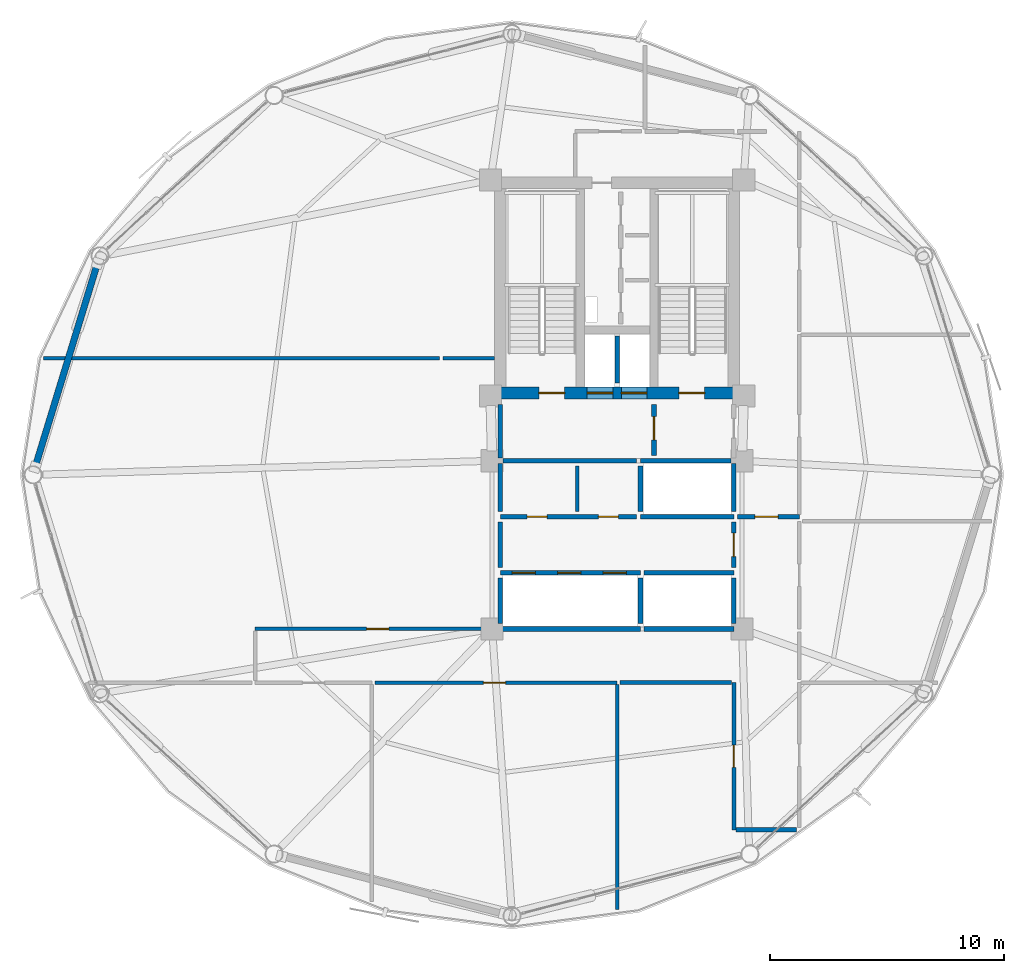
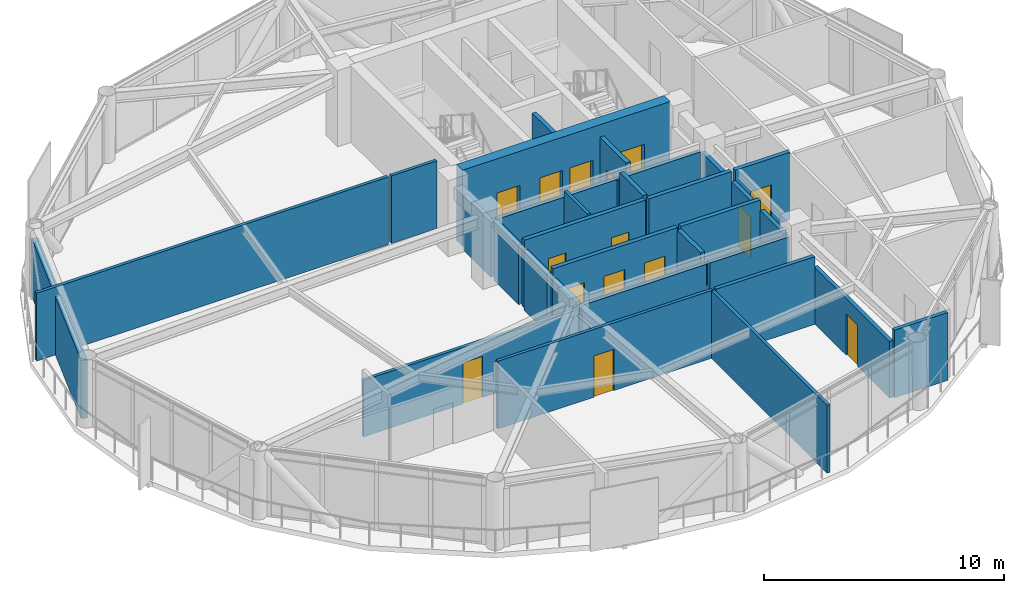
# One storey, part 21 of 26: 31 walls, 15 doors, 15 openings.
"""IFC4 building model written with IfcOpenShell, lengths in metres."""

from ifc_helpers import new_model, si_unit, direction, frame, frame_2d, origin, place, context, subcontext, project, spatial, rectangle, extrude, material, layer, layer_set, type_object, element, fill, save


model = new_model("IFC4")

# Units and contexts
model_context = context("Model", 3, precision=1e-05, world=origin(), true_north=direction((0.0, 1.0)))
body_context = subcontext(model_context, "Body", "Model", "MODEL_VIEW")
ifc_project = project(units=[si_unit("LENGTHUNIT", "METRE"), si_unit("AREAUNIT", "SQUARE_METRE"), si_unit("VOLUMEUNIT", "CUBIC_METRE"), si_unit("PLANEANGLEUNIT", "RADIAN"), si_unit("MASSUNIT", "GRAM", prefix="KILO")], contexts=[model_context])

# Site, building, storey
site_placement = place(None, origin())
site = spatial("IfcSite", under=ifc_project, at=site_placement, CompositionType="ELEMENT")
building_placement = place(site_placement, origin())
building = spatial("IfcBuilding", under=site, at=building_placement, Name="Varnakorn Sky Granary", CompositionType="ELEMENT")
storey_placement = place(building_placement, frame((0.0, 0.0, 165.60009765625)))
storey = spatial("IfcBuildingStorey", under=building, at=storey_placement, Name="L41", CompositionType="ELEMENT", Elevation=165.60009765625)

# Wall, openings, doors
ifc_material_1 = material(Name="Concrete C60/75", Category="concrete")
ifc_layer_1 = layer(ifc_material_1, 0.5, Name="Concrete C60/75")
ifc_layer_set_1 = layer_set([ifc_layer_1], Name="Concrete C60/75")
wall_type_1 = type_object("IfcWallType", Name="WT-CW-SHEAR-500", PredefinedType="SHEAR", material=ifc_layer_set_1)
wall_1_placement = place(storey_placement, frame((-2.0, 3.5, 0.0), z_axis=(0.0, 0.0, 1.0), x_axis=(1.0, 0.0, 0.0)))
wall_1 = element("IfcWall", 1, at=wall_1_placement, inside=storey, type_object=wall_type_1, Name="Core South Shear Wall L41", PredefinedType="SHEAR", context=body_context, shape_type="SweptSolid", body=[
    extrude(rectangle(XDim=10.0, YDim=0.5, at=frame_2d((5.0, 0.0))), origin(), (0.0, 0.0, 1.0), 3.891845703125),
])
opening_1_placement = place(wall_1_placement, frame((1.64990234375, 0.0, 0.0)))
opening_1 = element("IfcOpeningElement", 2, at=opening_1_placement, cuts=wall_1, Name="Opening FD-90", PredefinedType="OPENING", context=body_context, shape_type="SweptSolid", body=[
    extrude(rectangle(XDim=1.10009765625, YDim=2.14990234375, at=frame_2d((0.550048828125, 1.074951171875))), frame((0.0, 0.260009765625, 0.0), z_axis=(0.0, -1.0, 0.0), x_axis=(1.0, 0.0, 0.0)), (0.0, 0.0, 1.0), 0.52001953125),
])
opening_2_placement = place(wall_1_placement, frame((7.64990234375, 0.0, 0.0)))
opening_2 = element("IfcOpeningElement", 3, at=opening_2_placement, cuts=wall_1, Name="Opening FD-90", PredefinedType="OPENING", context=body_context, shape_type="SweptSolid", body=[
    extrude(rectangle(XDim=1.10009765625, YDim=2.14990234375, at=frame_2d((0.550048828125, 1.074951171875))), frame((0.0, 0.260009765625, 0.0), z_axis=(0.0, -1.0, 0.0), x_axis=(1.0, 0.0, 0.0)), (0.0, 0.0, 1.0), 0.52001953125),
])
opening_3_placement = place(wall_1_placement, frame((3.719970703125, 0.0, 0.0)))
opening_3 = element("IfcOpeningElement", 4, at=opening_3_placement, cuts=wall_1, Name="Opening LD-01", PredefinedType="OPENING", context=body_context, shape_type="SweptSolid", body=[
    extrude(rectangle(XDim=1.10009765625, YDim=2.199951171875, at=frame_2d((0.550048828125, 1.10009765625))), frame((0.0, 0.260009765625, 0.0), z_axis=(0.0, -1.0, 0.0), x_axis=(1.0, 0.0, 0.0)), (0.0, 0.0, 1.0), 0.52001953125),
])
opening_4_placement = place(wall_1_placement, frame((5.179931640625, 0.0, 0.0)))
opening_4 = element("IfcOpeningElement", 5, at=opening_4_placement, cuts=wall_1, Name="Opening LD-01", PredefinedType="OPENING", context=body_context, shape_type="SweptSolid", body=[
    extrude(rectangle(XDim=1.10009765625, YDim=2.199951171875, at=frame_2d((0.550048828125, 1.10009765625))), frame((0.0, 0.260009765625, 0.0), z_axis=(0.0, -1.0, 0.0), x_axis=(1.0, 0.0, 0.0)), (0.0, 0.0, 1.0), 0.52001953125),
])
ifc_material_2 = material(Name="Brushed Bronze Stainless Steel", Category="steel")
door_type_1 = type_object("IfcDoorType", Name="DR-LD-1100", OperationType="DOUBLE_DOOR_SLIDING", PredefinedType="DOOR", material=ifc_material_2)
door_1_placement = place(opening_3_placement, origin())
door_1 = element("IfcDoor", 6, at=door_1_placement, inside=storey, type_object=door_type_1, Name="Firefighting Lift FFL-1 Landing Door L41", OperationType="DOUBLE_DOOR_SLIDING", OverallHeight=2.199951171875, OverallWidth=1.10009765625, PredefinedType="DOOR", context=body_context, shape_type="SweptSolid", body=[
    extrude(rectangle(XDim=1.10009765625, YDim=2.199951171875, at=frame_2d((0.550048828125, 1.10009765625))), frame((0.0, 0.02490234375, 0.0), z_axis=(0.0, -1.0, 0.0), x_axis=(1.0, 0.0, 0.0)), (0.0, 0.0, 1.0), 0.050048828125),
])
fill(opening_3, door_1)
door_2_placement = place(opening_4_placement, origin())
door_2 = element("IfcDoor", 7, at=door_2_placement, inside=storey, type_object=door_type_1, Name="Firefighting Lift FFL-2 Landing Door L41", OperationType="DOUBLE_DOOR_SLIDING", OverallHeight=2.199951171875, OverallWidth=1.10009765625, PredefinedType="DOOR", context=body_context, shape_type="SweptSolid", body=[
    extrude(rectangle(XDim=1.10009765625, YDim=2.199951171875, at=frame_2d((0.550048828125, 1.10009765625))), frame((0.0, 0.02490234375, 0.0), z_axis=(0.0, -1.0, 0.0), x_axis=(1.0, 0.0, 0.0)), (0.0, 0.0, 1.0), 0.050048828125),
])
fill(opening_4, door_2)
ifc_material_3 = material(Name="Galvanised Painted Steel Leaf", Category="steel")
door_type_2 = type_object("IfcDoorType", Name="DR-STAIR-1100", OperationType="NOTDEFINED", PredefinedType="DOOR", material=ifc_material_3)
door_3_placement = place(opening_1_placement, origin())
door_3 = element("IfcDoor", 8, at=door_3_placement, inside=storey, type_object=door_type_2, Name="Stair ST-1 Protected Fire Door L41", OperationType="SINGLE_SWING_LEFT", OverallHeight=2.14990234375, OverallWidth=1.10009765625, PredefinedType="DOOR", context=body_context, shape_type="SweptSolid", body=[
    extrude(rectangle(XDim=1.10009765625, YDim=2.14990234375, at=frame_2d((0.550048828125, 1.074951171875))), frame((0.0, 0.02490234375, 0.0), z_axis=(0.0, -1.0, 0.0), x_axis=(1.0, 0.0, 0.0)), (0.0, 0.0, 1.0), 0.050048828125),
])
fill(opening_1, door_3)
door_4_placement = place(opening_2_placement, origin())
door_4 = element("IfcDoor", 9, at=door_4_placement, inside=storey, type_object=door_type_2, Name="Stair ST-2 Protected Fire Door L41", OperationType="SINGLE_SWING_RIGHT", OverallHeight=2.14990234375, OverallWidth=1.10009765625, PredefinedType="DOOR", context=body_context, shape_type="SweptSolid", body=[
    extrude(rectangle(XDim=1.10009765625, YDim=2.14990234375, at=frame_2d((0.550048828125, 1.074951171875))), frame((0.0, 0.02490234375, 0.0), z_axis=(0.0, -1.0, 0.0), x_axis=(1.0, 0.0, 0.0)), (0.0, 0.0, 1.0), 0.050048828125),
])
fill(opening_2, door_4)

# Wall
ifc_material_4 = material(Name="Precast concrete C40/50", Category="concrete")
ifc_layer_2 = layer(ifc_material_4, 0.280029296875, Name="Precast concrete C40/50")
ifc_layer_set_2 = layer_set([ifc_layer_2], Name="Precast concrete C40/50")
wall_type_2 = type_object("IfcWallType", Name="WT-EW-CRN-280", PredefinedType="SOLIDWALL", material=ifc_layer_set_2)
wall_2_placement = place(storey_placement, frame((-21.918701171875, 0.3212890625, 0.0), z_axis=(0.0, 0.0, 1.0), x_axis=(0.292111961986, 0.956384128719, 0.0)))
element("IfcWall", 10, at=wall_2_placement, inside=storey, type_object=wall_type_2, Name="Agritech Insulated Precast Facade Wall L41-P06", PredefinedType="SOLIDWALL", context=body_context, shape_type="SweptSolid", body=[
    extrude(rectangle(XDim=9.137451171875, YDim=0.280029296875, at=frame_2d((4.56884765625, 0.0))), origin(), (0.0, 0.0, 1.0), 2.969970703125),
])

# Wall, opening, door
ifc_material_5 = material(Name="Autoclaved Aerated Concrete Blockwork", Category="masonry")
ifc_layer_3 = layer(ifc_material_5, 0.199951171875, Name="Autoclaved Aerated Concrete Blockwork")
ifc_layer_set_3 = layer_set([ifc_layer_3], Name="Autoclaved Aerated Concrete Blockwork")
wall_type_3 = type_object("IfcWallType", Name="WT-FIRE-200", PredefinedType="MOVABLE", material=ifc_layer_set_3)
wall_3_placement = place(storey_placement, frame((4.580078125, 0.830078125, 0.0), z_axis=(0.0, 0.0, 1.0), x_axis=(0.0, 1.0, 0.0)))
wall_3 = element("IfcWall", 11, at=wall_3_placement, inside=storey, type_object=wall_type_3, Name="Interior Partition Wall L41-014", PredefinedType="MOVABLE", context=body_context, shape_type="SweptSolid", body=[
    extrude(rectangle(XDim=2.18994140625, YDim=0.199951171875, at=frame_2d((1.094970703125, 0.0))), origin(), (0.0, 0.0, 1.0), 3.449951171875),
])
opening_5_placement = place(wall_3_placement, frame((0.659912109375, 0.0, 0.0)))
opening_5 = element("IfcOpeningElement", 12, at=opening_5_placement, cuts=wall_3, Name="Opening FD-60", PredefinedType="OPENING", context=body_context, shape_type="SweptSolid", body=[
    extrude(rectangle(XDim=1.0, YDim=2.10009765625, at=frame_2d((0.5, 1.050048828125))), frame((0.0, 0.10986328125, 0.0), z_axis=(0.0, -1.0, 0.0), x_axis=(1.0, 0.0, 0.0)), (0.0, 0.0, 1.0), 0.219970703125),
])
ifc_material_6 = material(Name="Acoustic Timber Fire Leaf", Category="wood")
door_type_3 = type_object("IfcDoorType", Name="DR-FD60-1000", OperationType="NOTDEFINED", PredefinedType="DOOR", material=ifc_material_6)
door_5_placement = place(opening_5_placement, origin())
door_5 = element("IfcDoor", 13, at=door_5_placement, inside=storey, type_object=door_type_3, Name="Interior Door L41-014-1", OperationType="SINGLE_SWING_RIGHT", OverallHeight=2.10009765625, OverallWidth=1.0, PredefinedType="DOOR", context=body_context, shape_type="SweptSolid", body=[
    extrude(rectangle(XDim=1.0, YDim=2.10009765625, at=frame_2d((0.5, 1.050048828125))), frame((0.0, 0.02490234375, 0.0), z_axis=(0.0, -1.0, 0.0), x_axis=(1.0, 0.0, 0.0)), (0.0, 0.0, 1.0), 0.050048828125),
])
fill(opening_5, door_5)

wall_4_placement = place(storey_placement, frame((8.0, -3.969970703125, 0.0), z_axis=(0.0, 0.0, 1.0), x_axis=(0.0, 1.0, 0.0)))
wall_4 = element("IfcWall", 14, at=wall_4_placement, inside=storey, type_object=wall_type_3, Name="Interior Partition Wall L41-016", PredefinedType="MOVABLE", context=body_context, shape_type="SweptSolid", body=[
    extrude(rectangle(XDim=1.93994140625, YDim=0.199951171875, at=frame_2d((0.969970703125, 0.0))), origin(), (0.0, 0.0, 1.0), 3.031982421875),
])
opening_6_placement = place(wall_4_placement, frame((0.469970703125, 0.0, 0.0)))
opening_6 = element("IfcOpeningElement", 15, at=opening_6_placement, cuts=wall_4, Name="Opening FD-60", PredefinedType="OPENING", context=body_context, shape_type="SweptSolid", body=[
    extrude(rectangle(XDim=1.0, YDim=2.10009765625, at=frame_2d((0.5, 1.050048828125))), frame((0.0, 0.10986328125, 0.0), z_axis=(0.0, -1.0, 0.0), x_axis=(1.0, 0.0, 0.0)), (0.0, 0.0, 1.0), 0.219970703125),
])
door_6_placement = place(opening_6_placement, origin())
door_6 = element("IfcDoor", 16, at=door_6_placement, inside=storey, type_object=door_type_3, Name="Interior Door L41-016-1", OperationType="SINGLE_SWING_RIGHT", OverallHeight=2.10009765625, OverallWidth=1.0, PredefinedType="DOOR", context=body_context, shape_type="SweptSolid", body=[
    extrude(rectangle(XDim=1.0, YDim=2.10009765625, at=frame_2d((0.5, 1.050048828125))), frame((0.0, 0.02490234375, 0.0), z_axis=(0.0, -1.0, 0.0), x_axis=(1.0, 0.0, 0.0)), (0.0, 0.0, 1.0), 0.050048828125),
])
fill(opening_6, door_6)

# Wall, openings, doors
wall_5_placement = place(storey_placement, frame((-2.0, -1.800048828125, 0.0), z_axis=(0.0, 0.0, 1.0), x_axis=(1.0, 0.0, 0.0)))
wall_5 = element("IfcWall", 17, at=wall_5_placement, inside=storey, type_object=wall_type_3, Name="Interior Partition Wall L41-017", PredefinedType="MOVABLE", context=body_context, shape_type="SweptSolid", body=[
    extrude(rectangle(XDim=5.840087890625, YDim=0.199951171875, at=frame_2d((2.919921875, 0.0))), origin(), (0.0, 0.0, 1.0), 3.449951171875),
])
opening_7_placement = place(wall_5_placement, frame((1.14990234375, 0.0, 0.0)))
opening_7 = element("IfcOpeningElement", 18, at=opening_7_placement, cuts=wall_5, Name="Opening FD-60N", PredefinedType="OPENING", context=body_context, shape_type="SweptSolid", body=[
    extrude(rectangle(XDim=0.85009765625, YDim=2.10009765625, at=frame_2d((0.425048828125, 1.050048828125))), frame((0.0, 0.10986328125, 0.0), z_axis=(0.0, -1.0, 0.0), x_axis=(1.0, 0.0, 0.0)), (0.0, 0.0, 1.0), 0.219970703125),
])
opening_8_placement = place(wall_5_placement, frame((4.199951171875, 0.0, 0.0)))
opening_8 = element("IfcOpeningElement", 19, at=opening_8_placement, cuts=wall_5, Name="Opening FD-60N", PredefinedType="OPENING", context=body_context, shape_type="SweptSolid", body=[
    extrude(rectangle(XDim=0.85009765625, YDim=2.10009765625, at=frame_2d((0.425048828125, 1.050048828125))), frame((0.0, 0.10986328125, 0.0), z_axis=(0.0, -1.0, 0.0), x_axis=(1.0, 0.0, 0.0)), (0.0, 0.0, 1.0), 0.219970703125),
])
door_type_4 = type_object("IfcDoorType", Name="DR-FD60-850", OperationType="NOTDEFINED", PredefinedType="DOOR", material=ifc_material_6)
door_7_placement = place(opening_7_placement, origin())
door_7 = element("IfcDoor", 20, at=door_7_placement, inside=storey, type_object=door_type_4, Name="Interior Door L41-017-1", OperationType="SINGLE_SWING_LEFT", OverallHeight=2.10009765625, OverallWidth=0.85009765625, PredefinedType="DOOR", context=body_context, shape_type="SweptSolid", body=[
    extrude(rectangle(XDim=0.85009765625, YDim=2.10009765625, at=frame_2d((0.425048828125, 1.050048828125))), frame((0.0, 0.02490234375, 0.0), z_axis=(0.0, -1.0, 0.0), x_axis=(1.0, 0.0, 0.0)), (0.0, 0.0, 1.0), 0.050048828125),
])
fill(opening_7, door_7)
door_8_placement = place(opening_8_placement, origin())
door_8 = element("IfcDoor", 21, at=door_8_placement, inside=storey, type_object=door_type_4, Name="Interior Door L41-017-2", OperationType="SINGLE_SWING_RIGHT", OverallHeight=2.10009765625, OverallWidth=0.85009765625, PredefinedType="DOOR", context=body_context, shape_type="SweptSolid", body=[
    extrude(rectangle(XDim=0.85009765625, YDim=2.10009765625, at=frame_2d((0.425048828125, 1.050048828125))), frame((0.0, 0.02490234375, 0.0), z_axis=(0.0, -1.0, 0.0), x_axis=(1.0, 0.0, 0.0)), (0.0, 0.0, 1.0), 0.050048828125),
])
fill(opening_8, door_8)

# Wall, opening, door
wall_6_placement = place(storey_placement, frame((8.159912109375, -1.800048828125, 0.0), z_axis=(0.0, 0.0, 1.0), x_axis=(1.0, 0.0, 0.0)))
wall_6 = element("IfcWall", 22, at=wall_6_placement, inside=storey, type_object=wall_type_3, Name="Interior Partition Wall L41-018", PredefinedType="MOVABLE", context=body_context, shape_type="SweptSolid", body=[
    extrude(rectangle(XDim=2.64013671875, YDim=0.199951171875, at=frame_2d((1.320068359375, 0.0))), origin(), (0.0, 0.0, 1.0), 3.449951171875),
])
opening_9_placement = place(wall_6_placement, frame((0.739990234375, 0.0, 0.0)))
opening_9 = element("IfcOpeningElement", 23, at=opening_9_placement, cuts=wall_6, Name="Opening FD-60", PredefinedType="OPENING", context=body_context, shape_type="SweptSolid", body=[
    extrude(rectangle(XDim=1.0, YDim=2.10009765625, at=frame_2d((0.5, 1.050048828125))), frame((0.0, 0.10986328125, 0.0), z_axis=(0.0, -1.0, 0.0), x_axis=(1.0, 0.0, 0.0)), (0.0, 0.0, 1.0), 0.219970703125),
])
door_9_placement = place(opening_9_placement, origin())
door_9 = element("IfcDoor", 24, at=door_9_placement, inside=storey, type_object=door_type_3, Name="Interior Door L41-018-1", OperationType="SINGLE_SWING_LEFT", OverallHeight=2.10009765625, OverallWidth=1.0, PredefinedType="DOOR", context=body_context, shape_type="SweptSolid", body=[
    extrude(rectangle(XDim=1.0, YDim=2.10009765625, at=frame_2d((0.5, 1.050048828125))), frame((0.0, 0.02490234375, 0.0), z_axis=(0.0, -1.0, 0.0), x_axis=(1.0, 0.0, 0.0)), (0.0, 0.0, 1.0), 0.050048828125),
])
fill(opening_9, door_9)

# Walls
wall_7_placement = place(storey_placement, frame((-1.8798828125, 0.60009765625, 0.0), z_axis=(0.0, 0.0, 1.0), x_axis=(1.0, 0.0, 0.0)))
element("IfcWall", 25, at=wall_7_placement, inside=storey, type_object=wall_type_3, Name="Interior Partition Wall L41-031", PredefinedType="MOVABLE", context=body_context, shape_type="SweptSolid", body=[
    extrude(rectangle(XDim=5.719970703125, YDim=0.199951171875, at=frame_2d((2.85986328125, 0.0))), origin(), (0.0, 0.0, 1.0), 3.031982421875),
])
wall_8_placement = place(storey_placement, frame((-2.0, 0.719970703125, 0.0), z_axis=(0.0, 0.0, 1.0), x_axis=(0.0, 1.0, 0.0)))
element("IfcWall", 26, at=wall_8_placement, inside=storey, type_object=wall_type_3, Name="Interior Partition Wall L41-032", PredefinedType="MOVABLE", context=body_context, shape_type="SweptSolid", body=[
    extrude(rectangle(XDim=2.300048828125, YDim=0.199951171875, at=frame_2d((1.14990234375, 0.0))), origin(), (0.0, 0.0, 1.0), 2.781982421875),
])
wall_9_placement = place(storey_placement, frame((-2.0, -3.969970703125, 0.0), z_axis=(0.0, 0.0, 1.0), x_axis=(0.0, 1.0, 0.0)))
element("IfcWall", 27, at=wall_9_placement, inside=storey, type_object=wall_type_3, Name="Interior Partition Wall L41-033", PredefinedType="MOVABLE", context=body_context, shape_type="SweptSolid", body=[
    extrude(rectangle(XDim=1.93994140625, YDim=0.199951171875, at=frame_2d((0.969970703125, 0.0))), origin(), (0.0, 0.0, 1.0), 3.031982421875),
])
wall_10_placement = place(storey_placement, frame((-2.0, -1.570068359375, 0.0), z_axis=(0.0, 0.0, 1.0), x_axis=(0.0, 1.0, 0.0)))
element("IfcWall", 28, at=wall_10_placement, inside=storey, type_object=wall_type_3, Name="Interior Partition Wall L41-035", PredefinedType="MOVABLE", context=body_context, shape_type="SweptSolid", body=[
    extrude(rectangle(XDim=2.050048828125, YDim=0.199951171875, at=frame_2d((1.02490234375, 0.0))), origin(), (0.0, 0.0, 1.0), 3.031982421875),
])

# Wall, opening, door
ifc_material_7 = material(Name="Gypsum Plasterboard on Steel Stud", Category="steel")
ifc_layer_4 = layer(ifc_material_7, 0.14990234375, Name="Gypsum Plasterboard on Steel Stud")
ifc_layer_set_4 = layer_set([ifc_layer_4], Name="Gypsum Plasterboard on Steel Stud")
wall_type_4 = type_object("IfcWallType", Name="WT-PART-150", PredefinedType="PARTITIONING", material=ifc_layer_set_4)
wall_11_placement = place(storey_placement, frame((-7.364990234375, -8.89990234375, 0.0), z_axis=(0.0, 0.0, 1.0), x_axis=(1.0, 0.0, 0.0)))
wall_11 = element("IfcWall", 29, at=wall_11_placement, inside=storey, type_object=wall_type_4, Name="Interior Partition Wall L41-021", PredefinedType="PARTITIONING", context=body_context, shape_type="SweptSolid", body=[
    extrude(rectangle(XDim=10.364990234375, YDim=0.14990234375, at=frame_2d((5.1826171875, 0.0))), origin(), (0.0, 0.0, 1.0), 3.449951171875),
])
opening_10_placement = place(wall_11_placement, frame((4.639892578125, 0.0, 0.0)))
opening_10 = element("IfcOpeningElement", 30, at=opening_10_placement, cuts=wall_11, Name="Opening ID-95", PredefinedType="OPENING", context=body_context, shape_type="SweptSolid", body=[
    extrude(rectangle(XDim=0.949951171875, YDim=2.10009765625, at=frame_2d((0.47509765625, 1.050048828125))), frame((0.0, 0.0849609375, 0.0), z_axis=(0.0, -1.0, 0.0), x_axis=(1.0, 0.0, 0.0)), (0.0, 0.0, 1.0), 0.169921875),
])
ifc_material_8 = material(Name="Solid-Core Teak Veneer Leaf", Category="timber")
door_type_5 = type_object("IfcDoorType", Name="DR-INT-950", OperationType="NOTDEFINED", PredefinedType="DOOR", material=ifc_material_8)
door_10_placement = place(opening_10_placement, origin())
door_10 = element("IfcDoor", 31, at=door_10_placement, inside=storey, type_object=door_type_5, Name="Interior Door L41-021-1", OperationType="SINGLE_SWING_RIGHT", OverallHeight=2.10009765625, OverallWidth=0.949951171875, PredefinedType="DOOR", context=body_context, shape_type="SweptSolid", body=[
    extrude(rectangle(XDim=0.949951171875, YDim=2.10009765625, at=frame_2d((0.47509765625, 1.050048828125))), frame((0.0, 0.02490234375, 0.0), z_axis=(0.0, -1.0, 0.0), x_axis=(1.0, 0.0, 0.0)), (0.0, 0.0, 1.0), 0.050048828125),
])
fill(opening_10, door_10)

wall_12_placement = place(storey_placement, frame((-2.159912109375, -6.60009765625, 0.0), z_axis=(0.0, 0.0, 1.0), x_axis=(-1.0, 0.0, 0.0)))
wall_12 = element("IfcWall", 32, at=wall_12_placement, inside=storey, type_object=wall_type_4, Name="Interior Partition Wall L41-024", PredefinedType="PARTITIONING", context=body_context, shape_type="SweptSolid", body=[
    extrude(rectangle(XDim=10.340087890625, YDim=0.14990234375, at=frame_2d((5.169921875, 0.0))), origin(), (0.0, 0.0, 1.0), 2.8818359375),
])
opening_11_placement = place(wall_12_placement, frame((4.614990234375, 0.0, 0.0)))
opening_11 = element("IfcOpeningElement", 33, at=opening_11_placement, cuts=wall_12, Name="Opening ID-95", PredefinedType="OPENING", context=body_context, shape_type="SweptSolid", body=[
    extrude(rectangle(XDim=0.949951171875, YDim=2.10009765625, at=frame_2d((0.47509765625, 1.050048828125))), frame((0.0, 0.0849609375, 0.0), z_axis=(0.0, -1.0, 0.0), x_axis=(1.0, 0.0, 0.0)), (0.0, 0.0, 1.0), 0.169921875),
])
door_11_placement = place(opening_11_placement, origin())
door_11 = element("IfcDoor", 34, at=door_11_placement, inside=storey, type_object=door_type_5, Name="Interior Door L41-024-1", OperationType="SINGLE_SWING_LEFT", OverallHeight=2.10009765625, OverallWidth=0.949951171875, PredefinedType="DOOR", context=body_context, shape_type="SweptSolid", body=[
    extrude(rectangle(XDim=0.949951171875, YDim=2.10009765625, at=frame_2d((0.47509765625, 1.050048828125))), frame((0.0, 0.02490234375, 0.0), z_axis=(0.0, -1.0, 0.0), x_axis=(1.0, 0.0, 0.0)), (0.0, 0.0, 1.0), 0.050048828125),
])
fill(opening_11, door_11)

# Walls
wall_13_placement = place(storey_placement, frame((1.300048828125, -1.570068359375, 0.0), z_axis=(0.0, 0.0, 1.0), x_axis=(0.0, 1.0, 0.0)))
element("IfcWall", 35, at=wall_13_placement, inside=storey, type_object=wall_type_4, Name="Interior Partition Wall L41-034", PredefinedType="PARTITIONING", context=body_context, shape_type="SweptSolid", body=[
    extrude(rectangle(XDim=1.940185546875, YDim=0.14990234375, at=frame_2d((0.97021484375, 0.0))), origin(), (0.0, 0.0, 1.0), 3.449951171875),
])
wall_14_placement = place(storey_placement, frame((3.0, -8.985107421875, 0.0), z_axis=(0.0, 0.0, 1.0), x_axis=(0.0, -1.0, 0.0)))
element("IfcWall", 36, at=wall_14_placement, inside=storey, type_object=wall_type_4, Name="Interior Partition Wall L41-040", PredefinedType="PARTITIONING", context=body_context, shape_type="SweptSolid", body=[
    extrude(rectangle(XDim=9.638916015625, YDim=0.14990234375, at=frame_2d((4.8193359375, 0.0))), origin(), (0.0, 0.0, 1.0), 3.449951171875),
])
wall_15_placement = place(storey_placement, frame((-21.554931640625, 5.0, 0.0), z_axis=(0.0, 0.0, 1.0), x_axis=(1.0, 0.0, 0.0)))
element("IfcWall", 37, at=wall_15_placement, inside=storey, type_object=wall_type_4, Name="Interior Partition Wall L41-045", PredefinedType="PARTITIONING", context=body_context, shape_type="SweptSolid", body=[
    extrude(rectangle(XDim=16.954833984375, YDim=0.14990234375, at=frame_2d((8.4775390625, 0.0))), origin(), (0.0, 0.0, 1.0), 3.449951171875),
])
wall_16_placement = place(storey_placement, frame((-4.465087890625, 5.0, 0.0), z_axis=(0.0, 0.0, 1.0), x_axis=(1.0, 0.0, 0.0)))
element("IfcWall", 38, at=wall_16_placement, inside=storey, type_object=wall_type_4, Name="Interior Partition Wall L41-046", PredefinedType="PARTITIONING", context=body_context, shape_type="SweptSolid", body=[
    extrude(rectangle(XDim=2.205078125, YDim=0.14990234375, at=frame_2d((1.1025390625, 0.0))), origin(), (0.0, 0.0, 1.0), 3.449951171875),
])

# Wall, opening, door
ifc_material_9 = material(Name="Moisture-Resistant Gypsum on Stud", Category="gypsum")
ifc_layer_5 = layer(ifc_material_9, 0.179931640625, Name="Moisture-Resistant Gypsum on Stud")
ifc_layer_set_5 = layer_set([ifc_layer_5], Name="Moisture-Resistant Gypsum on Stud")
wall_type_5 = type_object("IfcWallType", Name="WT-PLUMB-180", PredefinedType="PLUMBINGWALL", material=ifc_layer_set_5)
wall_17_placement = place(storey_placement, frame((8.0, -8.89990234375, 0.0), z_axis=(0.0, 0.0, 1.0), x_axis=(0.0, -1.0, 0.0)))
wall_17 = element("IfcWall", 39, at=wall_17_placement, inside=storey, type_object=wall_type_5, Name="Interior Partition Wall L41-022", PredefinedType="PLUMBINGWALL", context=body_context, shape_type="SweptSolid", body=[
    extrude(rectangle(XDim=6.300048828125, YDim=0.179931640625, at=frame_2d((3.14990234375, 0.0))), origin(), (0.0, 0.0, 1.0), 2.8818359375),
])
opening_12_placement = place(wall_17_placement, frame((2.675048828125, 0.0, 0.0)))
opening_12 = element("IfcOpeningElement", 40, at=opening_12_placement, cuts=wall_17, Name="Opening ID-95", PredefinedType="OPENING", context=body_context, shape_type="SweptSolid", body=[
    extrude(rectangle(XDim=0.949951171875, YDim=2.10009765625, at=frame_2d((0.47509765625, 1.050048828125))), frame((0.0, 0.10009765625, 0.0), z_axis=(0.0, -1.0, 0.0), x_axis=(1.0, 0.0, 0.0)), (0.0, 0.0, 1.0), 0.199951171875),
])
door_12_placement = place(opening_12_placement, origin())
door_12 = element("IfcDoor", 41, at=door_12_placement, inside=storey, type_object=door_type_5, Name="Interior Door L41-022-1", OperationType="SINGLE_SWING_LEFT", OverallHeight=2.10009765625, OverallWidth=0.949951171875, PredefinedType="DOOR", context=body_context, shape_type="SweptSolid", body=[
    extrude(rectangle(XDim=0.949951171875, YDim=2.10009765625, at=frame_2d((0.47509765625, 1.050048828125))), frame((0.0, 0.02490234375, 0.0), z_axis=(0.0, -1.0, 0.0), x_axis=(1.0, 0.0, 0.0)), (0.0, 0.0, 1.0), 0.050048828125),
])
fill(opening_12, door_12)

# Walls
wall_18_placement = place(storey_placement, frame((3.135009765625, -8.89990234375, 0.0), z_axis=(0.0, 0.0, 1.0), x_axis=(1.0, 0.0, 0.0)))
element("IfcWall", 42, at=wall_18_placement, inside=storey, type_object=wall_type_5, Name="Interior Partition Wall L41-041", PredefinedType="PLUMBINGWALL", context=body_context, shape_type="SweptSolid", body=[
    extrude(rectangle(XDim=4.764892578125, YDim=0.179931640625, at=frame_2d((2.38232421875, 0.0))), origin(), (0.0, 0.0, 1.0), 3.449951171875),
])
wall_19_placement = place(storey_placement, frame((8.10009765625, -15.199951171875, 0.0), z_axis=(0.0, 0.0, 1.0), x_axis=(1.0, 0.0, 0.0)))
element("IfcWall", 43, at=wall_19_placement, inside=storey, type_object=wall_type_5, Name="Interior Partition Wall L41-042", PredefinedType="PLUMBINGWALL", context=body_context, shape_type="SweptSolid", body=[
    extrude(rectangle(XDim=2.575927734375, YDim=0.179931640625, at=frame_2d((1.2880859375, 0.0))), origin(), (0.0, 0.0, 1.0), 3.449951171875),
])
ifc_layer_6 = layer(ifc_material_5, 0.199951171875, Name="Autoclaved Aerated Concrete Blockwork")
ifc_layer_set_6 = layer_set([ifc_layer_6], Name="Autoclaved Aerated Concrete Blockwork")
wall_type_6 = type_object("IfcWallType", Name="WT-SHAFT-200", PredefinedType="SOLIDWALL", material=ifc_layer_set_6)
wall_20_placement = place(storey_placement, frame((3.0, 3.919921875, 0.0), z_axis=(0.0, 0.0, 1.0), x_axis=(0.0, 1.0, 0.0)))
element("IfcWall", 44, at=wall_20_placement, inside=storey, type_object=wall_type_6, Name="Interior Partition Wall L41-001", PredefinedType="SOLIDWALL", context=body_context, shape_type="SweptSolid", body=[
    extrude(rectangle(XDim=2.030029296875, YDim=0.199951171875, at=frame_2d((1.01513671875, 0.0))), origin(), (0.0, 0.0, 1.0), 3.449951171875),
])
wall_21_placement = place(storey_placement, frame((4.0, 0.60009765625, 0.0), z_axis=(0.0, 0.0, 1.0), x_axis=(1.0, 0.0, 0.0)))
element("IfcWall", 45, at=wall_21_placement, inside=storey, type_object=wall_type_6, Name="Interior Partition Wall L41-002", PredefinedType="SOLIDWALL", context=body_context, shape_type="SweptSolid", body=[
    extrude(rectangle(XDim=3.8798828125, YDim=0.199951171875, at=frame_2d((1.93994140625, 0.0))), origin(), (0.0, 0.0, 1.0), 3.031982421875),
])
wall_22_placement = place(storey_placement, frame((4.0, -1.800048828125, 0.0), z_axis=(0.0, 0.0, 1.0), x_axis=(1.0, 0.0, 0.0)))
element("IfcWall", 46, at=wall_22_placement, inside=storey, type_object=wall_type_6, Name="Interior Partition Wall L41-003", PredefinedType="SOLIDWALL", context=body_context, shape_type="SweptSolid", body=[
    extrude(rectangle(XDim=4.0, YDim=0.199951171875, at=frame_2d((2.0, 0.0))), origin(), (0.0, 0.0, 1.0), 3.449951171875),
])
wall_23_placement = place(storey_placement, frame((4.0, -1.570068359375, 0.0), z_axis=(0.0, 0.0, 1.0), x_axis=(0.0, 1.0, 0.0)))
element("IfcWall", 47, at=wall_23_placement, inside=storey, type_object=wall_type_6, Name="Interior Partition Wall L41-004", PredefinedType="SOLIDWALL", context=body_context, shape_type="SweptSolid", body=[
    extrude(rectangle(XDim=1.940185546875, YDim=0.199951171875, at=frame_2d((0.97021484375, 0.0))), origin(), (0.0, 0.0, 1.0), 3.449951171875),
])
wall_24_placement = place(storey_placement, frame((8.0, -1.570068359375, 0.0), z_axis=(0.0, 0.0, 1.0), x_axis=(0.0, 1.0, 0.0)))
element("IfcWall", 48, at=wall_24_placement, inside=storey, type_object=wall_type_6, Name="Interior Partition Wall L41-005", PredefinedType="SOLIDWALL", context=body_context, shape_type="SweptSolid", body=[
    extrude(rectangle(XDim=2.050048828125, YDim=0.199951171875, at=frame_2d((1.02490234375, 0.0))), origin(), (0.0, 0.0, 1.0), 3.031982421875),
])

# Wall, openings, doors
wall_25_placement = place(storey_placement, frame((-2.0, -4.199951171875, 0.0), z_axis=(0.0, 0.0, 1.0), x_axis=(1.0, 0.0, 0.0)))
wall_25 = element("IfcWall", 49, at=wall_25_placement, inside=storey, type_object=wall_type_6, Name="Interior Partition Wall L41-006", PredefinedType="SOLIDWALL", context=body_context, shape_type="SweptSolid", body=[
    extrude(rectangle(XDim=6.0, YDim=0.199951171875, at=frame_2d((3.0, 0.0))), origin(), (0.0, 0.0, 1.0), 3.449951171875),
])
opening_13_placement = place(wall_25_placement, frame((0.5, 0.0, 0.0)))
opening_13 = element("IfcOpeningElement", 50, at=opening_13_placement, cuts=wall_25, Name="Opening LD-03", PredefinedType="OPENING", context=body_context, shape_type="SweptSolid", body=[
    extrude(rectangle(XDim=1.0, YDim=2.199951171875, at=frame_2d((0.5, 1.10009765625))), frame((0.0, 0.10986328125, 0.0), z_axis=(0.0, -1.0, 0.0), x_axis=(1.0, 0.0, 0.0)), (0.0, 0.0, 1.0), 0.219970703125),
])
opening_14_placement = place(wall_25_placement, frame((2.449951171875, 0.0, 0.0)))
opening_14 = element("IfcOpeningElement", 51, at=opening_14_placement, cuts=wall_25, Name="Opening LD-03", PredefinedType="OPENING", context=body_context, shape_type="SweptSolid", body=[
    extrude(rectangle(XDim=1.0, YDim=2.199951171875, at=frame_2d((0.5, 1.10009765625))), frame((0.0, 0.10986328125, 0.0), z_axis=(0.0, -1.0, 0.0), x_axis=(1.0, 0.0, 0.0)), (0.0, 0.0, 1.0), 0.219970703125),
])
opening_15_placement = place(wall_25_placement, frame((4.39990234375, 0.0, 0.0)))
opening_15 = element("IfcOpeningElement", 52, at=opening_15_placement, cuts=wall_25, Name="Opening LD-03", PredefinedType="OPENING", context=body_context, shape_type="SweptSolid", body=[
    extrude(rectangle(XDim=1.0, YDim=2.199951171875, at=frame_2d((0.5, 1.10009765625))), frame((0.0, 0.10986328125, 0.0), z_axis=(0.0, -1.0, 0.0), x_axis=(1.0, 0.0, 0.0)), (0.0, 0.0, 1.0), 0.219970703125),
])
door_type_6 = type_object("IfcDoorType", Name="DR-LD-1000", OperationType="DOUBLE_DOOR_SLIDING", PredefinedType="DOOR", material=ifc_material_2)
door_13_placement = place(opening_13_placement, origin())
door_13 = element("IfcDoor", 53, at=door_13_placement, inside=storey, type_object=door_type_6, Name="Passenger Lift PL-M1 Sliding Landing Door L41", OperationType="DOUBLE_DOOR_SLIDING", OverallHeight=2.199951171875, OverallWidth=1.0, PredefinedType="DOOR", context=body_context, shape_type="SweptSolid", body=[
    extrude(rectangle(XDim=1.0, YDim=2.199951171875, at=frame_2d((0.5, 1.10009765625))), frame((0.0, 0.02490234375, 0.0), z_axis=(0.0, -1.0, 0.0), x_axis=(1.0, 0.0, 0.0)), (0.0, 0.0, 1.0), 0.050048828125),
])
fill(opening_13, door_13)
door_14_placement = place(opening_14_placement, origin())
door_14 = element("IfcDoor", 54, at=door_14_placement, inside=storey, type_object=door_type_6, Name="Passenger Lift PL-M2 Sliding Landing Door L41", OperationType="DOUBLE_DOOR_SLIDING", OverallHeight=2.199951171875, OverallWidth=1.0, PredefinedType="DOOR", context=body_context, shape_type="SweptSolid", body=[
    extrude(rectangle(XDim=1.0, YDim=2.199951171875, at=frame_2d((0.5, 1.10009765625))), frame((0.0, 0.02490234375, 0.0), z_axis=(0.0, -1.0, 0.0), x_axis=(1.0, 0.0, 0.0)), (0.0, 0.0, 1.0), 0.050048828125),
])
fill(opening_14, door_14)
door_15_placement = place(opening_15_placement, origin())
door_15 = element("IfcDoor", 55, at=door_15_placement, inside=storey, type_object=door_type_6, Name="Passenger Lift PL-M3 Sliding Landing Door L41", OperationType="DOUBLE_DOOR_SLIDING", OverallHeight=2.199951171875, OverallWidth=1.0, PredefinedType="DOOR", context=body_context, shape_type="SweptSolid", body=[
    extrude(rectangle(XDim=1.0, YDim=2.199951171875, at=frame_2d((0.5, 1.10009765625))), frame((0.0, 0.02490234375, 0.0), z_axis=(0.0, -1.0, 0.0), x_axis=(1.0, 0.0, 0.0)), (0.0, 0.0, 1.0), 0.050048828125),
])
fill(opening_15, door_15)

# Walls
wall_26_placement = place(storey_placement, frame((-2.0, -6.60009765625, 0.0), z_axis=(0.0, 0.0, 1.0), x_axis=(1.0, 0.0, 0.0)))
element("IfcWall", 56, at=wall_26_placement, inside=storey, type_object=wall_type_6, Name="Interior Partition Wall L41-007", PredefinedType="SOLIDWALL", context=body_context, shape_type="SweptSolid", body=[
    extrude(rectangle(XDim=6.0, YDim=0.199951171875, at=frame_2d((3.0, 0.0))), origin(), (0.0, 0.0, 1.0), 3.031982421875),
])
wall_27_placement = place(storey_placement, frame((-2.0, -6.3701171875, 0.0), z_axis=(0.0, 0.0, 1.0), x_axis=(0.0, 1.0, 0.0)))
element("IfcWall", 57, at=wall_27_placement, inside=storey, type_object=wall_type_6, Name="Interior Partition Wall L41-008", PredefinedType="SOLIDWALL", context=body_context, shape_type="SweptSolid", body=[
    extrude(rectangle(XDim=1.940185546875, YDim=0.199951171875, at=frame_2d((0.97021484375, 0.0))), origin(), (0.0, 0.0, 1.0), 3.031982421875),
])
wall_28_placement = place(storey_placement, frame((4.159912109375, -4.199951171875, 0.0), z_axis=(0.0, 0.0, 1.0), x_axis=(1.0, 0.0, 0.0)))
element("IfcWall", 58, at=wall_28_placement, inside=storey, type_object=wall_type_6, Name="Interior Partition Wall L41-009", PredefinedType="SOLIDWALL", context=body_context, shape_type="SweptSolid", body=[
    extrude(rectangle(XDim=3.840087890625, YDim=0.199951171875, at=frame_2d((1.919921875, 0.0))), origin(), (0.0, 0.0, 1.0), 3.449951171875),
])
wall_29_placement = place(storey_placement, frame((4.159912109375, -6.60009765625, 0.0), z_axis=(0.0, 0.0, 1.0), x_axis=(1.0, 0.0, 0.0)))
element("IfcWall", 59, at=wall_29_placement, inside=storey, type_object=wall_type_6, Name="Interior Partition Wall L41-010", PredefinedType="SOLIDWALL", context=body_context, shape_type="SweptSolid", body=[
    extrude(rectangle(XDim=3.840087890625, YDim=0.199951171875, at=frame_2d((1.919921875, 0.0))), origin(), (0.0, 0.0, 1.0), 3.031982421875),
])
wall_30_placement = place(storey_placement, frame((4.0, -6.3701171875, 0.0), z_axis=(0.0, 0.0, 1.0), x_axis=(0.0, 1.0, 0.0)))
element("IfcWall", 60, at=wall_30_placement, inside=storey, type_object=wall_type_6, Name="Interior Partition Wall L41-011", PredefinedType="SOLIDWALL", context=body_context, shape_type="SweptSolid", body=[
    extrude(rectangle(XDim=1.940185546875, YDim=0.199951171875, at=frame_2d((0.97021484375, 0.0))), origin(), (0.0, 0.0, 1.0), 3.449951171875),
])
wall_31_placement = place(storey_placement, frame((8.0, -6.3701171875, 0.0), z_axis=(0.0, 0.0, 1.0), x_axis=(0.0, 1.0, 0.0)))
element("IfcWall", 61, at=wall_31_placement, inside=storey, type_object=wall_type_6, Name="Interior Partition Wall L41-012", PredefinedType="SOLIDWALL", context=body_context, shape_type="SweptSolid", body=[
    extrude(rectangle(XDim=1.940185546875, YDim=0.199951171875, at=frame_2d((0.97021484375, 0.0))), origin(), (0.0, 0.0, 1.0), 3.031982421875),
])

save(model, "model.ifc")
